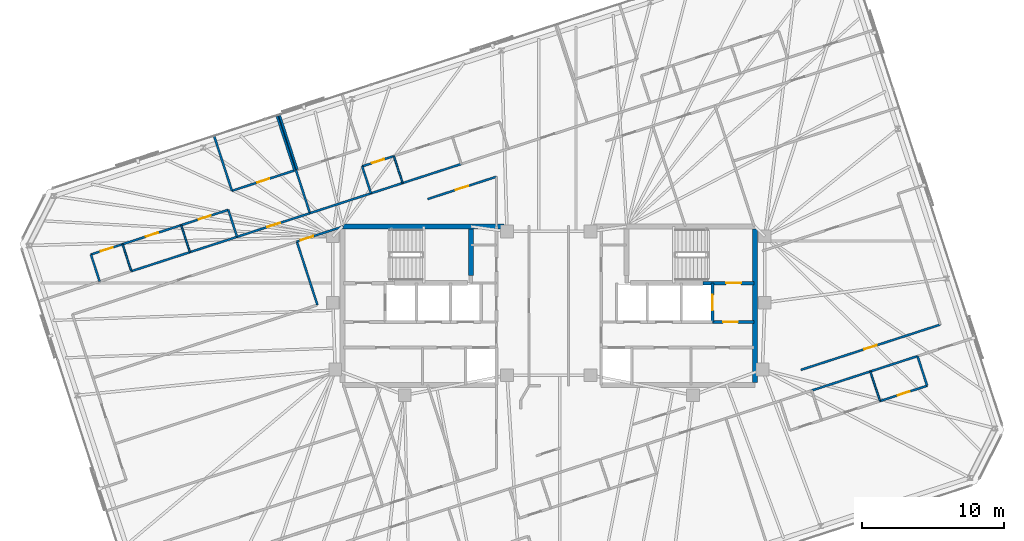
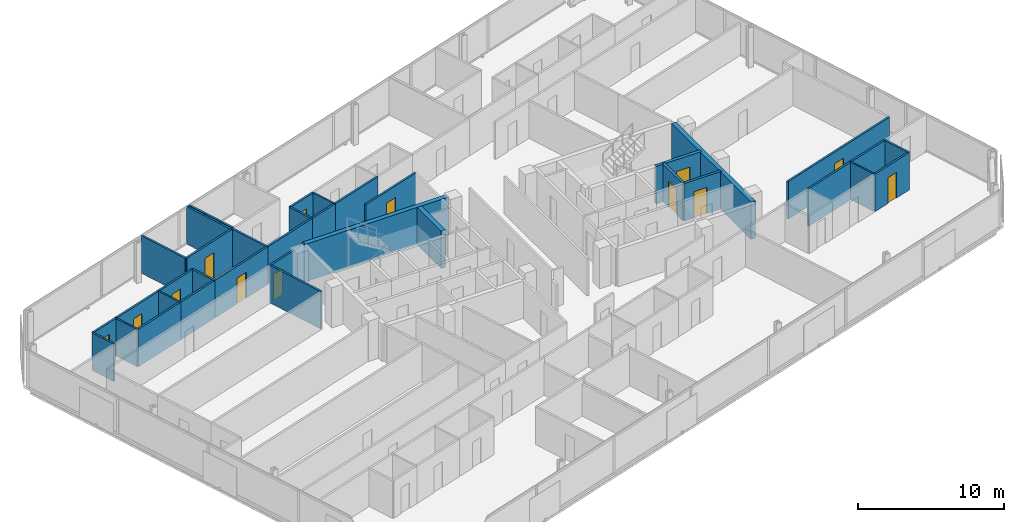
# One storey, part 16 of 20: 36 walls, 13 doors, 13 openings.
"""IFC4 building model written with IfcOpenShell, lengths in metres."""

from ifc_helpers import new_model, si_unit, direction, frame, frame_2d, origin, place, context, subcontext, project, spatial, rectangle, extrude, material, layer, layer_set, type_object, element, fill, save


model = new_model("IFC4")

# Units and contexts
model_context = context("Model", 3, precision=1e-05, world=origin(), true_north=direction((0.0, 1.0)))
body_context = subcontext(model_context, "Body", "Model", "MODEL_VIEW")
ifc_project = project(units=[si_unit("LENGTHUNIT", "METRE"), si_unit("AREAUNIT", "SQUARE_METRE"), si_unit("VOLUMEUNIT", "CUBIC_METRE"), si_unit("PLANEANGLEUNIT", "RADIAN"), si_unit("MASSUNIT", "GRAM", prefix="KILO")], contexts=[model_context])

# Site, building, storey
site_placement = place(None, origin())
site = spatial("IfcSite", under=ifc_project, at=site_placement, CompositionType="ELEMENT")
building_placement = place(site_placement, origin())
building = spatial("IfcBuilding", under=site, at=building_placement, Name="Menara Jurai Vektor", CompositionType="ELEMENT")
storey_placement = place(building_placement, frame((0.0, 0.0, 217.60009765625)))
storey = spatial("IfcBuildingStorey", under=building, at=storey_placement, Name="L57", CompositionType="ELEMENT", Elevation=217.60009765625)

# Wall, opening, door
ifc_material_1 = material(Name="Concrete C40/50", Category="concrete")
ifc_layer_1 = layer(ifc_material_1, 0.25)
ifc_layer_set_1 = layer_set([ifc_layer_1], Name="Concrete C40/50")
wall_type_1 = type_object("IfcWallType", Name="INT-WALL-CORE-250", PredefinedType="STANDARD", material=ifc_layer_set_1)
wall_1_placement = place(storey_placement, frame((10.89990234375, 1.60009765625, 0.0), z_axis=(0.0, 0.0, 1.0), x_axis=(1.0, 0.0, 0.0)))
wall_1 = element("IfcWall", 1, at=wall_1_placement, inside=storey, type_object=wall_type_1, Name="Interior Wall IW-250 L57", PredefinedType="STANDARD", context=body_context, shape_type="SweptSolid", body=[
    extrude(rectangle(XDim=3.60009765625, YDim=0.25, at=frame_2d((1.800048828125, 0.0))), origin(), (0.0, 0.0, 1.0), 3.125),
])
opening_1_placement = place(wall_1_placement, frame((1.6201171875, 0.0, 0.0)))
opening_1 = element("IfcOpeningElement", 2, at=opening_1_placement, cuts=wall_1, Name="Opening D-L57-ST2", PredefinedType="OPENING", context=body_context, shape_type="SweptSolid", body=[
    extrude(rectangle(XDim=1.050048828125, YDim=2.14990234375, at=frame_2d((0.52490234375, 1.074951171875))), frame((0.0, 0.135009765625, 0.0), z_axis=(0.0, -1.0, 0.0), x_axis=(1.0, 0.0, 0.0)), (0.0, 0.0, 1.0), 0.27001953125),
])
ifc_material_2 = material(Name="Fire-Rated Steel Door", Category="steel")
door_type_1 = type_object("IfcDoorType", Name="DR-STAIR-1050", OperationType="NOTDEFINED", PredefinedType="DOOR", material=ifc_material_2)
door_1_placement = place(opening_1_placement, origin())
door_1 = element("IfcDoor", 3, at=door_1_placement, inside=storey, type_object=door_type_1, Name="Exit Stair ST2 Door L57", OperationType="SINGLE_SWING_LEFT", OverallHeight=2.14990234375, OverallWidth=1.050048828125, PredefinedType="DOOR", context=body_context, shape_type="SweptSolid", body=[
    extrude(rectangle(XDim=1.050048828125, YDim=2.14990234375, at=frame_2d((0.52490234375, 1.074951171875))), frame((0.0, 0.02490234375, 0.0), z_axis=(0.0, -1.0, 0.0), x_axis=(1.0, 0.0, 0.0)), (0.0, 0.0, 1.0), 0.050048828125),
])
fill(opening_1, door_1)

wall_2_placement = place(storey_placement, frame((11.550048828125, -1.14990234375, 0.0), z_axis=(0.0, 0.0, 1.0), x_axis=(0.0, 1.0, 0.0)))
wall_2 = element("IfcWall", 4, at=wall_2_placement, inside=storey, type_object=wall_type_1, Name="Interior Wall IW-250 L57", PredefinedType="STANDARD", context=body_context, shape_type="SweptSolid", body=[
    extrude(rectangle(XDim=2.75, YDim=0.199951171875, at=frame_2d((1.375, 0.0))), origin(), (0.0, 0.0, 1.0), 3.125),
])
opening_2_placement = place(wall_2_placement, frame((0.824951171875, 0.0, 0.0)))
opening_2 = element("IfcOpeningElement", 5, at=opening_2_placement, cuts=wall_2, Name="Opening LD-L57-FL2", PredefinedType="OPENING", context=body_context, shape_type="SweptSolid", body=[
    extrude(rectangle(XDim=1.10009765625, YDim=2.14990234375, at=frame_2d((0.550048828125, 1.074951171875))), frame((0.0, 0.10986328125, 0.0), z_axis=(0.0, -1.0, 0.0), x_axis=(1.0, 0.0, 0.0)), (0.0, 0.0, 1.0), 0.219970703125),
])
ifc_material_3 = material(Name="Stainless Steel Sliding Lift Landing Door", Category="steel")
door_type_2 = type_object("IfcDoorType", Name="DR-LIFT-FIRE-1100", OperationType="NOTDEFINED", PredefinedType="DOOR", material=ifc_material_3)
door_2_placement = place(opening_2_placement, origin())
door_2 = element("IfcDoor", 6, at=door_2_placement, inside=storey, type_object=door_type_2, Name="Lift Landing Door FL2 L57", OperationType="SLIDING_TO_RIGHT", OverallHeight=2.14990234375, OverallWidth=1.10009765625, PredefinedType="DOOR", context=body_context, shape_type="SweptSolid", body=[
    extrude(rectangle(XDim=1.10009765625, YDim=2.14990234375, at=frame_2d((0.550048828125, 1.074951171875))), frame((0.0, 0.02490234375, 0.0), z_axis=(0.0, -1.0, 0.0), x_axis=(1.0, 0.0, 0.0)), (0.0, 0.0, 1.0), 0.050048828125),
])
fill(opening_2, door_2)

wall_3_placement = place(storey_placement, frame((11.550048828125, -1.14990234375, 0.0), z_axis=(0.0, 0.0, 1.0), x_axis=(1.0, 0.0, 0.0)))
wall_3 = element("IfcWall", 7, at=wall_3_placement, inside=storey, type_object=wall_type_1, Name="Interior Wall IW-250 L57", PredefinedType="STANDARD", context=body_context, shape_type="SweptSolid", body=[
    extrude(rectangle(XDim=2.949951171875, YDim=0.199951171875, at=frame_2d((1.47509765625, 0.0))), origin(), (0.0, 0.0, 1.0), 3.125),
])
opening_3_placement = place(wall_3_placement, frame((0.75, 0.0, 0.0)))
opening_3 = element("IfcOpeningElement", 8, at=opening_3_placement, cuts=wall_3, Name="Opening D-L57-FFE", PredefinedType="OPENING", context=body_context, shape_type="SweptSolid", body=[
    extrude(rectangle(XDim=1.050048828125, YDim=2.179931640625, at=frame_2d((0.52490234375, 1.08984375))), frame((0.0, 0.10986328125, 0.0), z_axis=(0.0, -1.0, 0.0), x_axis=(1.0, 0.0, 0.0)), (0.0, 0.0, 1.0), 0.219970703125),
])
ifc_material_4 = material(Name="Fire-Rated Timber Door", Category="wood")
door_type_3 = type_object("IfcDoorType", Name="DR-LOBBY-1050", OperationType="NOTDEFINED", PredefinedType="DOOR", material=ifc_material_4)
door_3_placement = place(opening_3_placement, origin())
door_3 = element("IfcDoor", 9, at=door_3_placement, inside=storey, type_object=door_type_3, Name="Fire Lift Lobby Door E L57", OperationType="SINGLE_SWING_LEFT", OverallHeight=2.179931640625, OverallWidth=1.050048828125, PredefinedType="DOOR", context=body_context, shape_type="SweptSolid", body=[
    extrude(rectangle(XDim=1.050048828125, YDim=2.179931640625, at=frame_2d((0.52490234375, 1.08984375))), frame((0.0, 0.02490234375, 0.0), z_axis=(0.0, -1.0, 0.0), x_axis=(1.0, 0.0, 0.0)), (0.0, 0.0, 1.0), 0.050048828125),
])
fill(opening_3, door_3)

ifc_material_5 = material(Name="Gypsum Fireboard Partition", Category="gypsum")
ifc_layer_2 = layer(ifc_material_5, 0.14990234375)
ifc_layer_set_2 = layer_set([ifc_layer_2], Name="Gypsum Fireboard Partition")
wall_type_2 = type_object("IfcWallType", Name="INT-WALL-CORR-150", PredefinedType="PARTITIONING", material=ifc_layer_set_2)
wall_4_placement = place(storey_placement, frame((-22.009765625, 4.86376953125, 0.0), z_axis=(0.0, 0.0, 1.0), x_axis=(0.951061595649, 0.309001361293, 0.0)))
wall_4 = element("IfcWall", 10, at=wall_4_placement, inside=storey, type_object=wall_type_2, Name="Interior Wall IW-150 L57", PredefinedType="PARTITIONING", context=body_context, shape_type="SweptSolid", body=[
    extrude(rectangle(XDim=5.408935546875, YDim=0.14990234375, at=frame_2d((2.70458984375, 0.0))), origin(), (0.0, 0.0, 1.0), 3.125),
])
opening_4_placement = place(wall_4_placement, frame((2.2294921875, 0.0, 0.0)))
opening_4 = element("IfcOpeningElement", 11, at=opening_4_placement, cuts=wall_4, Name="Opening D57-09", PredefinedType="OPENING", context=body_context, shape_type="SweptSolid", body=[
    extrude(rectangle(XDim=0.949951171875, YDim=2.14990234375, at=frame_2d((0.47509765625, 1.074951171875))), frame((0.0, 0.0849609375, 0.0), z_axis=(0.0, -1.0, 0.0), x_axis=(1.0, 0.0, 0.0)), (0.0, 0.0, 1.0), 0.169921875),
])
ifc_material_6 = material(Name="Solid Core Timber Fire Door", Category="wood")
door_type_4 = type_object("IfcDoorType", Name="DR-ENTRY-950", OperationType="NOTDEFINED", PredefinedType="DOOR", material=ifc_material_6)
door_4_placement = place(opening_4_placement, origin())
door_4 = element("IfcDoor", 12, at=door_4_placement, inside=storey, type_object=door_type_4, Name="Interior Door D57-09", OperationType="SINGLE_SWING_RIGHT", OverallHeight=2.14990234375, OverallWidth=0.949951171875, PredefinedType="DOOR", context=body_context, shape_type="SweptSolid", body=[
    extrude(rectangle(XDim=0.949951171875, YDim=2.14990234375, at=frame_2d((0.47509765625, 1.074951171875))), frame((0.0, 0.02490234375, 0.0), z_axis=(0.0, -1.0, 0.0), x_axis=(1.0, 0.0, 0.0)), (0.0, 0.0, 1.0), 0.050048828125),
])
fill(opening_4, door_4)

# Walls
wall_5_placement = place(storey_placement, frame((-29.4755859375, 2.43798828125, 0.0), z_axis=(0.0, 0.0, 1.0), x_axis=(0.951057987102, 0.309012467661, 0.0)))
element("IfcWall", 13, at=wall_5_placement, inside=storey, type_object=wall_type_2, Name="Interior Wall IW-150 L57", PredefinedType="PARTITIONING", context=body_context, shape_type="SweptSolid", body=[
    extrude(rectangle(XDim=4.35009765625, YDim=0.14990234375, at=frame_2d((2.175048828125, 0.0))), origin(), (0.0, 0.0, 1.0), 3.125),
])
wall_6_placement = place(storey_placement, frame((-25.33837890625, 3.7822265625, 0.0), z_axis=(0.0, 0.0, 1.0), x_axis=(0.951055596592, 0.309019824916, 0.0)))
element("IfcWall", 14, at=wall_6_placement, inside=storey, type_object=wall_type_2, Name="Interior Wall IW-150 L57", PredefinedType="PARTITIONING", context=body_context, shape_type="SweptSolid", body=[
    extrude(rectangle(XDim=3.5, YDim=0.14990234375, at=frame_2d((1.75, 0.0))), origin(), (0.0, 0.0, 1.0), 3.125),
])
wall_7_placement = place(storey_placement, frame((-16.865478515625, 6.53515625, 0.0), z_axis=(0.0, 0.0, 1.0), x_axis=(0.951049118272, 0.309039762222, 0.0)))
element("IfcWall", 15, at=wall_7_placement, inside=storey, type_object=wall_type_2, Name="Interior Wall IW-150 L57", PredefinedType="PARTITIONING", context=body_context, shape_type="SweptSolid", body=[
    extrude(rectangle(XDim=4.52978515625, YDim=0.14990234375, at=frame_2d((2.264892578125, 0.0))), origin(), (0.0, 0.0, 1.0), 3.125),
])
wall_8_placement = place(storey_placement, frame((-12.557373046875, 7.93505859375, 0.0), z_axis=(0.0, 0.0, 1.0), x_axis=(0.951045519245, 0.309050837767, 0.0)))
element("IfcWall", 16, at=wall_8_placement, inside=storey, type_object=wall_type_2, Name="Interior Wall IW-150 L57", PredefinedType="PARTITIONING", context=body_context, shape_type="SweptSolid", body=[
    extrude(rectangle(XDim=2.35009765625, YDim=0.14990234375, at=frame_2d((1.175048828125, 0.0))), origin(), (0.0, 0.0, 1.0), 3.125),
])
for number, where, z_axis, x_axis, name in (
    (17, (-10.322265625, 8.661376953125, 0.0), (0.0, 0.0, 1.0), (0.951052627573, 0.309028962374, 0.0), "Interior Wall IW-150 L57"),
    (18, (18.56396484375, -5.983154296875, 0.0), (0.0, 0.0, 1.0), (0.951052627573, 0.309028962374, 0.0), "Interior Wall IW-150 L57"),
):
    element("IfcWall", number, at=place(storey_placement, frame(where, z_axis=z_axis, x_axis=x_axis)), inside=storey, type_object=wall_type_2, Name=name, PredefinedType="PARTITIONING", context=body_context, shape_type="SweptSolid", body=[
        extrude(rectangle(XDim=4.349853515625, YDim=0.14990234375, at=frame_2d((2.1748046875, 0.0))), origin(), (0.0, 0.0, 1.0), 3.125),
    ])
wall_9_placement = place(storey_placement, frame((22.700927734375, -4.638916015625, 0.0), z_axis=(0.0, 0.0, 1.0), x_axis=(0.951062257173, 0.308999325213, 0.0)))
element("IfcWall", 19, at=wall_9_placement, inside=storey, type_object=wall_type_2, Name="Interior Wall IW-150 L57", PredefinedType="PARTITIONING", context=body_context, shape_type="SweptSolid", body=[
    extrude(rectangle(XDim=3.500244140625, YDim=0.14990234375, at=frame_2d((1.75, 0.0))), origin(), (0.0, 0.0, 1.0), 3.125),
])

# Wall, opening, door
wall_10_placement = place(storey_placement, frame((-17.79150390625, 4.531005859375, 0.0), z_axis=(0.0, 0.0, 1.0), x_axis=(0.951047546178, 0.309044600193, 0.0)))
wall_10 = element("IfcWall", 20, at=wall_10_placement, inside=storey, type_object=wall_type_2, Name="Interior Wall IW-150 L57", PredefinedType="PARTITIONING", context=body_context, shape_type="SweptSolid", body=[
    extrude(rectangle(XDim=3.4609375, YDim=0.14990234375, at=frame_2d((1.73046875, 0.0))), origin(), (0.0, 0.0, 1.0), 3.125),
])
opening_5_placement = place(wall_10_placement, frame((0.301513671875, 0.0, 0.0)))
opening_5 = element("IfcOpeningElement", 21, at=opening_5_placement, cuts=wall_10, Name="Opening D57-50", PredefinedType="OPENING", context=body_context, shape_type="SweptSolid", body=[
    extrude(rectangle(XDim=0.919921875, YDim=2.14990234375, at=frame_2d((0.4599609375, 1.074951171875))), frame((0.0, 0.0849609375, 0.0), z_axis=(0.0, -1.0, 0.0), x_axis=(1.0, 0.0, 0.0)), (0.0, 0.0, 1.0), 0.169921875),
])
door_5_placement = place(opening_5_placement, origin())
door_5 = element("IfcDoor", 22, at=door_5_placement, inside=storey, type_object=door_type_4, Name="Interior Door D57-50", OperationType="SINGLE_SWING_LEFT", OverallHeight=2.14990234375, OverallWidth=0.919921875, PredefinedType="DOOR", context=body_context, shape_type="SweptSolid", body=[
    extrude(rectangle(XDim=0.919921875, YDim=2.14990234375, at=frame_2d((0.4599609375, 1.074951171875))), frame((0.0, 0.02490234375, 0.0), z_axis=(0.0, -1.0, 0.0), x_axis=(1.0, 0.0, 0.0)), (0.0, 0.0, 1.0), 0.050048828125),
])
fill(opening_5, door_5)

wall_11_placement = place(storey_placement, frame((-8.5595703125, 7.530517578125, 0.0), z_axis=(0.0, 0.0, 1.0), x_axis=(0.951054430751, 0.309023412946, 0.0)))
wall_11 = element("IfcWall", 23, at=wall_11_placement, inside=storey, type_object=wall_type_2, Name="Interior Wall IW-150 L57", PredefinedType="PARTITIONING", context=body_context, shape_type="SweptSolid", body=[
    extrude(rectangle(XDim=5.10986328125, YDim=0.14990234375, at=frame_2d((2.554931640625, 0.0))), origin(), (0.0, 0.0, 1.0), 3.125),
])
opening_6_placement = place(wall_11_placement, frame((2.094970703125, 0.0, 0.0)))
opening_6 = element("IfcOpeningElement", 24, at=opening_6_placement, cuts=wall_11, Name="Opening D57-51", PredefinedType="OPENING", context=body_context, shape_type="SweptSolid", body=[
    extrude(rectangle(XDim=0.919921875, YDim=2.14990234375, at=frame_2d((0.4599609375, 1.074951171875))), frame((0.0, 0.0849609375, 0.0), z_axis=(0.0, -1.0, 0.0), x_axis=(1.0, 0.0, 0.0)), (0.0, 0.0, 1.0), 0.169921875),
])
door_6_placement = place(opening_6_placement, origin())
door_6 = element("IfcDoor", 25, at=door_6_placement, inside=storey, type_object=door_type_4, Name="Interior Door D57-51", OperationType="SINGLE_SWING_RIGHT", OverallHeight=2.14990234375, OverallWidth=0.919921875, PredefinedType="DOOR", context=body_context, shape_type="SweptSolid", body=[
    extrude(rectangle(XDim=0.919921875, YDim=2.14990234375, at=frame_2d((0.4599609375, 1.074951171875))), frame((0.0, 0.02490234375, 0.0), z_axis=(0.0, -1.0, 0.0), x_axis=(1.0, 0.0, 0.0)), (0.0, 0.0, 1.0), 0.050048828125),
])
fill(opening_6, door_6)

wall_12_placement = place(storey_placement, frame((17.791259765625, -4.53076171875, 0.0), z_axis=(0.0, 0.0, 1.0), x_axis=(0.951056769902, 0.309016213852, 0.0)))
wall_12 = element("IfcWall", 26, at=wall_12_placement, inside=storey, type_object=wall_type_2, Name="Interior Wall IW-150 L57", PredefinedType="PARTITIONING", context=body_context, shape_type="SweptSolid", body=[
    extrude(rectangle(XDim=10.35205078125, YDim=0.14990234375, at=frame_2d((5.176025390625, 0.0))), origin(), (0.0, 0.0, 1.0), 3.125),
])
opening_7_placement = place(wall_12_placement, frame((4.716064453125, 0.0, 0.0)))
opening_7 = element("IfcOpeningElement", 27, at=opening_7_placement, cuts=wall_12, Name="Opening D57-52", PredefinedType="OPENING", context=body_context, shape_type="SweptSolid", body=[
    extrude(rectangle(XDim=0.919921875, YDim=2.14990234375, at=frame_2d((0.4599609375, 1.074951171875))), frame((0.0, 0.0849609375, 0.0), z_axis=(0.0, -1.0, 0.0), x_axis=(1.0, 0.0, 0.0)), (0.0, 0.0, 1.0), 0.169921875),
])
door_7_placement = place(opening_7_placement, origin())
door_7 = element("IfcDoor", 28, at=door_7_placement, inside=storey, type_object=door_type_4, Name="Interior Door D57-52", OperationType="SINGLE_SWING_LEFT", OverallHeight=2.14990234375, OverallWidth=0.919921875, PredefinedType="DOOR", context=body_context, shape_type="SweptSolid", body=[
    extrude(rectangle(XDim=0.919921875, YDim=2.14990234375, at=frame_2d((0.4599609375, 1.074951171875))), frame((0.0, 0.02490234375, 0.0), z_axis=(0.0, -1.0, 0.0), x_axis=(1.0, 0.0, 0.0)), (0.0, 0.0, 1.0), 0.050048828125),
])
fill(opening_7, door_7)

# Wall
wall_13_placement = place(storey_placement, frame((-31.710693359375, 1.7119140625, 0.0), z_axis=(0.0, 0.0, 1.0), x_axis=(-0.308948390121, 0.951078804433, 0.0)))
element("IfcWall", 29, at=wall_13_placement, inside=storey, type_object=wall_type_2, Name="Interior Wall IW-150 L57", PredefinedType="PARTITIONING", context=body_context, shape_type="SweptSolid", body=[
    extrude(rectangle(XDim=2.0048828125, YDim=0.14990234375, at=frame_2d((1.00244140625, 0.0))), origin(), (0.0, 0.0, 1.0), 3.125),
])

# Wall, opening, door
wall_14_placement = place(storey_placement, frame((-32.330078125, 3.61865234375, 0.0), z_axis=(0.0, 0.0, 1.0), x_axis=(0.951066131077, 0.308987401554, 0.0)))
wall_14 = element("IfcWall", 30, at=wall_14_placement, inside=storey, type_object=wall_type_2, Name="Interior Wall IW-150 L57", PredefinedType="PARTITIONING", context=body_context, shape_type="SweptSolid", body=[
    extrude(rectangle(XDim=2.349853515625, YDim=0.14990234375, at=frame_2d((1.1748046875, 0.0))), origin(), (0.0, 0.0, 1.0), 3.125),
])
opening_8_placement = place(wall_14_placement, frame((0.735107421875, 0.0, 0.0)))
opening_8 = element("IfcOpeningElement", 31, at=opening_8_placement, cuts=wall_14, Name="Opening D57-10", PredefinedType="OPENING", context=body_context, shape_type="SweptSolid", body=[
    extrude(rectangle(XDim=0.8798828125, YDim=2.14990234375, at=frame_2d((0.43994140625, 1.074951171875))), frame((0.0, 0.0849609375, 0.0), z_axis=(0.0, -1.0, 0.0), x_axis=(1.0, 0.0, 0.0)), (0.0, 0.0, 1.0), 0.169921875),
])
ifc_material_7 = material(Name="Moisture-Resistant Timber Door", Category="wood")
door_type_5 = type_object("IfcDoorType", Name="DR-BATH-880", OperationType="NOTDEFINED", PredefinedType="DOOR", material=ifc_material_7)
door_8_placement = place(opening_8_placement, origin())
door_8 = element("IfcDoor", 32, at=door_8_placement, inside=storey, type_object=door_type_5, Name="Interior Door D57-10", OperationType="SINGLE_SWING_LEFT", OverallHeight=2.14990234375, OverallWidth=0.8798828125, PredefinedType="DOOR", context=body_context, shape_type="SweptSolid", body=[
    extrude(rectangle(XDim=0.8798828125, YDim=2.14990234375, at=frame_2d((0.43994140625, 1.074951171875))), frame((0.0, 0.02490234375, 0.0), z_axis=(0.0, -1.0, 0.0), x_axis=(1.0, 0.0, 0.0)), (0.0, 0.0, 1.0), 0.050048828125),
])
fill(opening_8, door_8)

wall_15_placement = place(storey_placement, frame((-30.09521484375, 4.3447265625, 0.0), z_axis=(0.0, 0.0, 1.0), x_axis=(0.951041492154, 0.309063230101, 0.0)))
wall_15 = element("IfcWall", 33, at=wall_15_placement, inside=storey, type_object=wall_type_2, Name="Interior Wall IW-150 L57", PredefinedType="PARTITIONING", context=body_context, shape_type="SweptSolid", body=[
    extrude(rectangle(XDim=4.35009765625, YDim=0.14990234375, at=frame_2d((2.175048828125, 0.0))), origin(), (0.0, 0.0, 1.0), 3.125),
])
opening_9_placement = place(wall_15_placement, frame((1.72509765625, 0.0, 0.0)))
opening_9 = element("IfcOpeningElement", 34, at=opening_9_placement, cuts=wall_15, Name="Opening D57-11", PredefinedType="OPENING", context=body_context, shape_type="SweptSolid", body=[
    extrude(rectangle(XDim=0.89990234375, YDim=2.14990234375, at=frame_2d((0.449951171875, 1.074951171875))), frame((0.0, 0.0849609375, 0.0), z_axis=(0.0, -1.0, 0.0), x_axis=(1.0, 0.0, 0.0)), (0.0, 0.0, 1.0), 0.169921875),
])
ifc_material_8 = material(Name="Acoustic Timber Interior Door", Category="wood")
door_type_6 = type_object("IfcDoorType", Name="DR-ROOM-900", OperationType="NOTDEFINED", PredefinedType="DOOR", material=ifc_material_8)
door_9_placement = place(opening_9_placement, origin())
door_9 = element("IfcDoor", 35, at=door_9_placement, inside=storey, type_object=door_type_6, Name="Interior Door D57-11", OperationType="SINGLE_SWING_RIGHT", OverallHeight=2.14990234375, OverallWidth=0.89990234375, PredefinedType="DOOR", context=body_context, shape_type="SweptSolid", body=[
    extrude(rectangle(XDim=0.89990234375, YDim=2.14990234375, at=frame_2d((0.449951171875, 1.074951171875))), frame((0.0, 0.02490234375, 0.0), z_axis=(0.0, -1.0, 0.0), x_axis=(1.0, 0.0, 0.0)), (0.0, 0.0, 1.0), 0.050048828125),
])
fill(opening_9, door_9)

wall_16_placement = place(storey_placement, frame((-25.9580078125, 5.689208984375, 0.0), z_axis=(0.0, 0.0, 1.0), x_axis=(0.951076095932, 0.308956727951, 0.0)))
wall_16 = element("IfcWall", 36, at=wall_16_placement, inside=storey, type_object=wall_type_2, Name="Interior Wall IW-150 L57", PredefinedType="PARTITIONING", context=body_context, shape_type="SweptSolid", body=[
    extrude(rectangle(XDim=3.499755859375, YDim=0.14990234375, at=frame_2d((1.75, 0.0))), origin(), (0.0, 0.0, 1.0), 3.125),
])
opening_10_placement = place(wall_16_placement, frame((1.31005859375, 0.0, 0.0)))
opening_10 = element("IfcOpeningElement", 37, at=opening_10_placement, cuts=wall_16, Name="Opening D57-12", PredefinedType="OPENING", context=body_context, shape_type="SweptSolid", body=[
    extrude(rectangle(XDim=0.8798828125, YDim=2.14990234375, at=frame_2d((0.43994140625, 1.074951171875))), frame((0.0, 0.0849609375, 0.0), z_axis=(0.0, -1.0, 0.0), x_axis=(1.0, 0.0, 0.0)), (0.0, 0.0, 1.0), 0.169921875),
])
door_10_placement = place(opening_10_placement, origin())
door_10 = element("IfcDoor", 38, at=door_10_placement, inside=storey, type_object=door_type_5, Name="Interior Door D57-12", OperationType="SINGLE_SWING_LEFT", OverallHeight=2.14990234375, OverallWidth=0.8798828125, PredefinedType="DOOR", context=body_context, shape_type="SweptSolid", body=[
    extrude(rectangle(XDim=0.8798828125, YDim=2.14990234375, at=frame_2d((0.43994140625, 1.074951171875))), frame((0.0, 0.02490234375, 0.0), z_axis=(0.0, -1.0, 0.0), x_axis=(1.0, 0.0, 0.0)), (0.0, 0.0, 1.0), 0.050048828125),
])
fill(opening_10, door_10)

# Walls
wall_17_placement = place(storey_placement, frame((-22.009765625, 4.86376953125, 0.0), z_axis=(0.0, 0.0, 1.0), x_axis=(-0.309058537449, 0.951043017129, 0.0)))
element("IfcWall", 39, at=wall_17_placement, inside=storey, type_object=wall_type_2, Name="Interior Wall IW-150 L57", PredefinedType="PARTITIONING", context=body_context, shape_type="SweptSolid", body=[
    extrude(rectangle(XDim=2.0048828125, YDim=0.14990234375, at=frame_2d((1.00244140625, 0.0))), origin(), (0.0, 0.0, 1.0), 3.125),
])
wall_18_placement = place(storey_placement, frame((-22.37353515625, 8.115478515625, 0.0), z_axis=(0.0, 0.0, 1.0), x_axis=(-0.308964264858, 0.951073647538, 0.0)))
element("IfcWall", 40, at=wall_18_placement, inside=storey, type_object=wall_type_2, Name="Interior Wall IW-150 L57", PredefinedType="PARTITIONING", context=body_context, shape_type="SweptSolid", body=[
    extrude(rectangle(XDim=4.078857421875, YDim=0.14990234375, at=frame_2d((2.03955078125, 0.0))), origin(), (0.0, 0.0, 1.0), 3.125),
])

# Wall, opening, door
wall_19_placement = place(storey_placement, frame((-22.37353515625, 8.115478515625, 0.0), z_axis=(0.0, 0.0, 1.0), x_axis=(0.951055286502, 0.309020779263, 0.0)))
wall_19 = element("IfcWall", 41, at=wall_19_placement, inside=storey, type_object=wall_type_2, Name="Interior Wall IW-150 L57", PredefinedType="PARTITIONING", context=body_context, shape_type="SweptSolid", body=[
    extrude(rectangle(XDim=4.650146484375, YDim=0.14990234375, at=frame_2d((2.3251953125, 0.0))), origin(), (0.0, 0.0, 1.0), 3.125),
])
opening_11_placement = place(wall_19_placement, frame((1.875, 0.0, 0.0)))
opening_11 = element("IfcOpeningElement", 42, at=opening_11_placement, cuts=wall_19, Name="Opening D57-13", PredefinedType="OPENING", context=body_context, shape_type="SweptSolid", body=[
    extrude(rectangle(XDim=0.89990234375, YDim=2.14990234375, at=frame_2d((0.449951171875, 1.074951171875))), frame((0.0, 0.0849609375, 0.0), z_axis=(0.0, -1.0, 0.0), x_axis=(1.0, 0.0, 0.0)), (0.0, 0.0, 1.0), 0.169921875),
])
door_11_placement = place(opening_11_placement, origin())
door_11 = element("IfcDoor", 43, at=door_11_placement, inside=storey, type_object=door_type_6, Name="Interior Door D57-13", OperationType="SINGLE_SWING_RIGHT", OverallHeight=2.14990234375, OverallWidth=0.89990234375, PredefinedType="DOOR", context=body_context, shape_type="SweptSolid", body=[
    extrude(rectangle(XDim=0.89990234375, YDim=2.14990234375, at=frame_2d((0.449951171875, 1.074951171875))), frame((0.0, 0.02490234375, 0.0), z_axis=(0.0, -1.0, 0.0), x_axis=(1.0, 0.0, 0.0)), (0.0, 0.0, 1.0), 0.050048828125),
])
fill(opening_11, door_11)

# Walls
wall_20_placement = place(storey_placement, frame((-17.950927734375, 9.552490234375, 0.0), z_axis=(0.0, 0.0, 1.0), x_axis=(-0.309018403393, 0.951056058476, 0.0)))
element("IfcWall", 44, at=wall_20_placement, inside=storey, type_object=wall_type_2, Name="Interior Wall IW-150 L57", PredefinedType="PARTITIONING", context=body_context, shape_type="SweptSolid", body=[
    extrude(rectangle(XDim=4.0791015625, YDim=0.14990234375, at=frame_2d((2.03955078125, 0.0))), origin(), (0.0, 0.0, 1.0), 3.125),
])
wall_21_placement = place(storey_placement, frame((-16.865478515625, 6.53515625, 0.0), z_axis=(0.0, 0.0, 1.0), x_axis=(-0.309029230739, 0.951052540372, 0.0)))
element("IfcWall", 45, at=wall_21_placement, inside=storey, type_object=wall_type_2, Name="Interior Wall IW-150 L57", PredefinedType="PARTITIONING", context=body_context, shape_type="SweptSolid", body=[
    extrude(rectangle(XDim=7.283935546875, YDim=0.14990234375, at=frame_2d((3.64208984375, 0.0))), origin(), (0.0, 0.0, 1.0), 3.125),
])
wall_22_placement = place(storey_placement, frame((-12.557373046875, 7.93505859375, 0.0), z_axis=(0.0, 0.0, 1.0), x_axis=(-0.308912611775, 0.951090425925, 0.0)))
element("IfcWall", 46, at=wall_22_placement, inside=storey, type_object=wall_type_2, Name="Interior Wall IW-150 L57", PredefinedType="PARTITIONING", context=body_context, shape_type="SweptSolid", body=[
    extrude(rectangle(XDim=2.005126953125, YDim=0.14990234375, at=frame_2d((1.00244140625, 0.0))), origin(), (0.0, 0.0, 1.0), 3.125),
])

# Wall, opening, door
wall_23_placement = place(storey_placement, frame((-13.1767578125, 9.842041015625, 0.0), z_axis=(0.0, 0.0, 1.0), x_axis=(0.951066131077, 0.308987401554, 0.0)))
wall_23 = element("IfcWall", 47, at=wall_23_placement, inside=storey, type_object=wall_type_2, Name="Interior Wall IW-150 L57", PredefinedType="PARTITIONING", context=body_context, shape_type="SweptSolid", body=[
    extrude(rectangle(XDim=2.349853515625, YDim=0.14990234375, at=frame_2d((1.1748046875, 0.0))), origin(), (0.0, 0.0, 1.0), 3.125),
])
opening_12_placement = place(wall_23_placement, frame((0.73486328125, 0.0, 0.0)))
opening_12 = element("IfcOpeningElement", 48, at=opening_12_placement, cuts=wall_23, Name="Opening D57-15", PredefinedType="OPENING", context=body_context, shape_type="SweptSolid", body=[
    extrude(rectangle(XDim=0.8798828125, YDim=2.14990234375, at=frame_2d((0.43994140625, 1.074951171875))), frame((0.0, 0.0849609375, 0.0), z_axis=(0.0, -1.0, 0.0), x_axis=(1.0, 0.0, 0.0)), (0.0, 0.0, 1.0), 0.169921875),
])
door_12_placement = place(opening_12_placement, origin())
door_12 = element("IfcDoor", 49, at=door_12_placement, inside=storey, type_object=door_type_5, Name="Interior Door D57-15", OperationType="SINGLE_SWING_RIGHT", OverallHeight=2.14990234375, OverallWidth=0.8798828125, PredefinedType="DOOR", context=body_context, shape_type="SweptSolid", body=[
    extrude(rectangle(XDim=0.8798828125, YDim=2.14990234375, at=frame_2d((0.43994140625, 1.074951171875))), frame((0.0, 0.02490234375, 0.0), z_axis=(0.0, -1.0, 0.0), x_axis=(1.0, 0.0, 0.0)), (0.0, 0.0, 1.0), 0.050048828125),
])
fill(opening_12, door_12)

# Wall
wall_24_placement = place(storey_placement, frame((-17.7607421875, 9.6142578125, 0.0), z_axis=(0.0, 0.0, 1.0), x_axis=(-0.309018403393, 0.951056058476, 0.0)))
element("IfcWall", 50, at=wall_24_placement, inside=storey, type_object=wall_type_2, Name="Interior Wall IW-150 L57", PredefinedType="PARTITIONING", context=body_context, shape_type="SweptSolid", body=[
    extrude(rectangle(XDim=4.0791015625, YDim=0.14990234375, at=frame_2d((2.03955078125, 0.0))), origin(), (0.0, 0.0, 1.0), 3.125),
])

# Wall, opening, door
wall_25_placement = place(storey_placement, frame((23.380859375, -6.731201171875, 0.0), z_axis=(0.0, 0.0, 1.0), x_axis=(0.951055596592, 0.309019824916, 0.0)))
wall_25 = element("IfcWall", 51, at=wall_25_placement, inside=storey, type_object=wall_type_2, Name="Interior Wall IW-150 L57", PredefinedType="PARTITIONING", context=body_context, shape_type="SweptSolid", body=[
    extrude(rectangle(XDim=3.5, YDim=0.14990234375, at=frame_2d((1.75, 0.0))), origin(), (0.0, 0.0, 1.0), 3.125),
])
opening_13_placement = place(wall_25_placement, frame((1.31005859375, 0.0, 0.0)))
opening_13 = element("IfcOpeningElement", 52, at=opening_13_placement, cuts=wall_25, Name="Opening D57-37", PredefinedType="OPENING", context=body_context, shape_type="SweptSolid", body=[
    extrude(rectangle(XDim=0.8798828125, YDim=2.14990234375, at=frame_2d((0.43994140625, 1.074951171875))), frame((0.0, 0.0849609375, 0.0), z_axis=(0.0, -1.0, 0.0), x_axis=(1.0, 0.0, 0.0)), (0.0, 0.0, 1.0), 0.169921875),
])
door_13_placement = place(opening_13_placement, origin())
door_13 = element("IfcDoor", 53, at=door_13_placement, inside=storey, type_object=door_type_5, Name="Interior Door D57-37", OperationType="SINGLE_SWING_RIGHT", OverallHeight=2.14990234375, OverallWidth=0.8798828125, PredefinedType="DOOR", context=body_context, shape_type="SweptSolid", body=[
    extrude(rectangle(XDim=0.8798828125, YDim=2.14990234375, at=frame_2d((0.43994140625, 1.074951171875))), frame((0.0, 0.02490234375, 0.0), z_axis=(0.0, -1.0, 0.0), x_axis=(1.0, 0.0, 0.0)), (0.0, 0.0, 1.0), 0.050048828125),
])
fill(opening_13, door_13)

# Walls
wall_26_placement = place(storey_placement, frame((26.70947265625, -5.649658203125, 0.0), z_axis=(0.0, 0.0, 1.0), x_axis=(-0.308960600764, 0.951074837842, 0.0)))
element("IfcWall", 54, at=wall_26_placement, inside=storey, type_object=wall_type_2, Name="Interior Wall IW-150 L57", PredefinedType="PARTITIONING", context=body_context, shape_type="SweptSolid", body=[
    extrude(rectangle(XDim=2.199951171875, YDim=0.14990234375, at=frame_2d((1.10009765625, 0.0))), origin(), (0.0, 0.0, 1.0), 3.125),
])
wall_27_placement = place(storey_placement, frame((-16.3369140625, 0.054443359375, 0.0), z_axis=(0.0, 0.0, 1.0), x_axis=(-0.309029776355, 0.951052363083, 0.0)))
element("IfcWall", 55, at=wall_27_placement, inside=storey, type_object=wall_type_2, Name="Interior Wall IW-150 L57", PredefinedType="PARTITIONING", context=body_context, shape_type="SweptSolid", body=[
    extrude(rectangle(XDim=4.70703125, YDim=0.14990234375, at=frame_2d((2.353515625, 0.0))), origin(), (0.0, 0.0, 1.0), 3.125),
])
ifc_material_9 = material(Name="Gypsum Acoustic Stud Partition", Category="gypsum")
ifc_layer_3 = layer(ifc_material_9, 0.1201171875)
ifc_layer_set_3 = layer_set([ifc_layer_3], Name="Gypsum Acoustic Stud Partition")
wall_type_3 = type_object("IfcWallType", Name="INT-WALL-PART-120", PredefinedType="PARTITIONING", material=ifc_layer_set_3)
wall_28_placement = place(storey_placement, frame((-29.4755859375, 2.43798828125, 0.0), z_axis=(0.0, 0.0, 1.0), x_axis=(-0.309058537449, 0.951043017129, 0.0)))
element("IfcWall", 56, at=wall_28_placement, inside=storey, type_object=wall_type_3, Name="Interior Wall IW-120 L57", PredefinedType="PARTITIONING", context=body_context, shape_type="SweptSolid", body=[
    extrude(rectangle(XDim=2.0048828125, YDim=0.1201171875, at=frame_2d((1.00244140625, 0.0))), origin(), (0.0, 0.0, 1.0), 3.125),
])
wall_29_placement = place(storey_placement, frame((-25.33837890625, 3.7822265625, 0.0), z_axis=(0.0, 0.0, 1.0), x_axis=(-0.309022749039, 0.951054646472, 0.0)))
element("IfcWall", 57, at=wall_29_placement, inside=storey, type_object=wall_type_3, Name="Interior Wall IW-120 L57", PredefinedType="PARTITIONING", context=body_context, shape_type="SweptSolid", body=[
    extrude(rectangle(XDim=2.005126953125, YDim=0.1201171875, at=frame_2d((1.00244140625, 0.0))), origin(), (0.0, 0.0, 1.0), 3.125),
])
wall_30_placement = place(storey_placement, frame((-10.322265625, 8.661376953125, 0.0), z_axis=(0.0, 0.0, 1.0), x_axis=(-0.309058537449, 0.951043017129, 0.0)))
element("IfcWall", 58, at=wall_30_placement, inside=storey, type_object=wall_type_3, Name="Interior Wall IW-120 L57", PredefinedType="PARTITIONING", context=body_context, shape_type="SweptSolid", body=[
    extrude(rectangle(XDim=2.0048828125, YDim=0.1201171875, at=frame_2d((1.00244140625, 0.0))), origin(), (0.0, 0.0, 1.0), 3.125),
])
wall_31_placement = place(storey_placement, frame((23.380859375, -6.731201171875, 0.0), z_axis=(0.0, 0.0, 1.0), x_axis=(-0.309060979314, 0.951042223598, 0.0)))
element("IfcWall", 59, at=wall_31_placement, inside=storey, type_object=wall_type_3, Name="Interior Wall IW-120 L57", PredefinedType="PARTITIONING", context=body_context, shape_type="SweptSolid", body=[
    extrude(rectangle(XDim=2.199951171875, YDim=0.1201171875, at=frame_2d((1.10009765625, 0.0))), origin(), (0.0, 0.0, 1.0), 3.125),
])
ifc_material_10 = material(Name="Concrete C50/60", Category="concrete")
ifc_layer_4 = layer(ifc_material_10, 0.35009765625)
ifc_layer_set_4 = layer_set([ifc_layer_4], Name="Concrete C50/60")
wall_type_4 = type_object("IfcWallType", Name="STR-WALL-CORE350", PredefinedType="SHEAR", material=ifc_layer_set_4)
wall_32_placement = place(storey_placement, frame((-14.56005859375, 5.60009765625, 0.0), z_axis=(0.0, 0.0, 1.0), x_axis=(1.0, 0.0, 0.0)))
element("IfcWall", 60, at=wall_32_placement, inside=storey, type_object=wall_type_4, Name="Core Shear Wall CW-W-N L57", PredefinedType="SHEAR", context=body_context, shape_type="SweptSolid", body=[
    extrude(rectangle(XDim=11.41015625, YDim=0.35009765625, at=frame_2d((5.705078125, 0.0))), origin(), (0.0, 0.0, 1.0), 3.125),
])
wall_33_placement = place(storey_placement, frame((-5.5, 2.14990234375, 0.0), z_axis=(0.0, 0.0, 1.0), x_axis=(0.0, 1.0, 0.0)))
element("IfcWall", 61, at=wall_33_placement, inside=storey, type_object=wall_type_4, Name="Core Shear Wall CW-W-ST L57", PredefinedType="SHEAR", context=body_context, shape_type="SweptSolid", body=[
    extrude(rectangle(XDim=3.275146484375, YDim=0.35009765625, at=frame_2d((1.6376953125, 0.0))), origin(), (0.0, 0.0, 1.0), 3.125),
])
wall_34_placement = place(storey_placement, frame((14.56005859375, -5.425048828125, 0.0), z_axis=(0.0, 0.0, 1.0), x_axis=(0.0, 1.0, 0.0)))
element("IfcWall", 62, at=wall_34_placement, inside=storey, type_object=wall_type_4, Name="Core Shear Wall CW-E-E L57", PredefinedType="SHEAR", context=body_context, shape_type="SweptSolid", body=[
    extrude(rectangle(XDim=10.85009765625, YDim=0.35009765625, at=frame_2d((5.425048828125, 0.0))), origin(), (0.0, 0.0, 1.0), 3.125),
])

save(model, "model.ifc")
